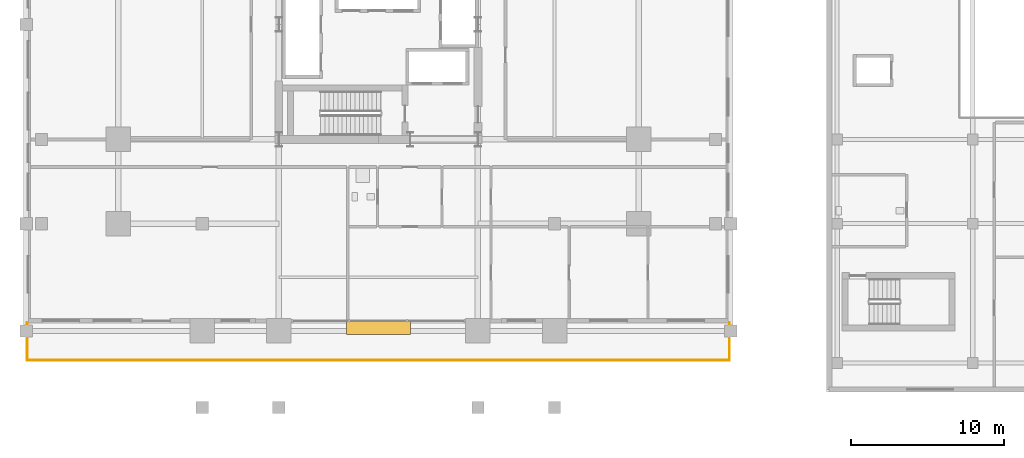
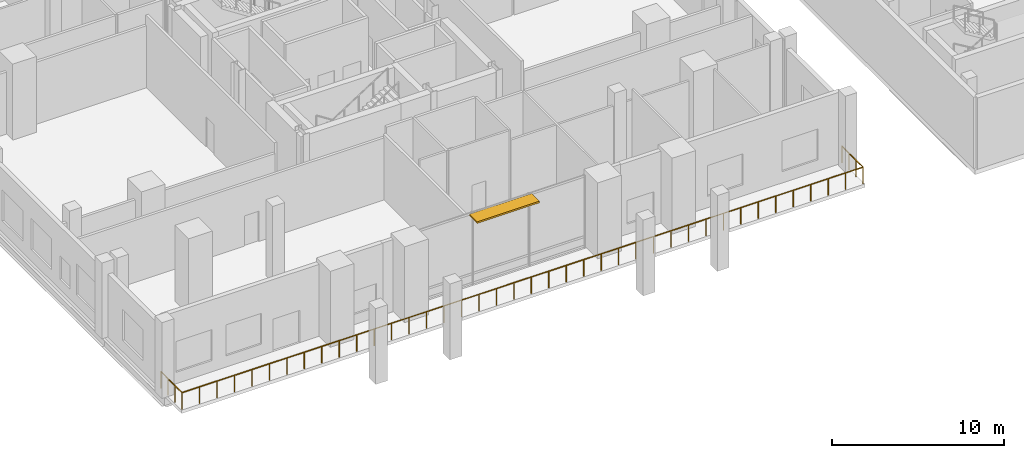
# One storey, part 17 of 22: 1 railing, 1 shading device.
"""IFC4 building model written with IfcOpenShell, lengths in metres."""

from ifc_helpers import new_model, si_unit, direction, frame, origin, origin_2d, place, context, subcontext, project, spatial, rectangle, circle, extrude, material, layer, layer_set, type_object, element, save


model = new_model("IFC4")

# Units and contexts
model_context = context("Model", 3, precision=1e-05, world=origin(), true_north=direction((0.0, 1.0)))
body_context = subcontext(model_context, "Body", "Model", "MODEL_VIEW")
ifc_project = project(units=[si_unit("LENGTHUNIT", "METRE"), si_unit("AREAUNIT", "SQUARE_METRE"), si_unit("VOLUMEUNIT", "CUBIC_METRE"), si_unit("PLANEANGLEUNIT", "RADIAN"), si_unit("MASSUNIT", "GRAM", prefix="KILO")], contexts=[model_context])

# Site, building, storey
site_placement = place(None, origin())
site = spatial("IfcSite", under=ifc_project, at=site_placement, CompositionType="ELEMENT")
building_placement = place(site_placement, origin())
building = spatial("IfcBuilding", under=site, at=building_placement, Name="Barlavira Tower and Art Museum", CompositionType="ELEMENT")
storey_placement = place(building_placement, frame((0.0, 0.0, 16.800048828125)))
storey = spatial("IfcBuildingStorey", under=building, at=storey_placement, Name="L03", CompositionType="ELEMENT", Elevation=16.800048828125)

# Shading device
ifc_material_1 = material(Name="Pale anodised aluminium", Category="aluminium")
ifc_layer = layer(ifc_material_1, 0.1201171875, Name="Pale anodised aluminium")
ifc_layer_set = layer_set([ifc_layer], Name="Pale anodised aluminium")
shading_device_type = type_object("IfcShadingDeviceType", Name="Podium Cascade Horizontal Sun-Visor Jalousie 900", PredefinedType="JALOUSIE", material=ifc_layer_set)
shading_device_placement = place(storey_placement, frame((0.0, -19.800048828125, 4.909912109375), z_axis=(0.0, 0.0, 1.0), x_axis=(1.0, 0.0, 0.0)))
element("IfcShadingDevice", 1, at=shading_device_placement, inside=storey, type_object=shading_device_type, Name="L03 South Cascade Sun-Visor Jalousie", PredefinedType="JALOUSIE", context=body_context, shape_type="SweptSolid", body=[
    extrude(rectangle(XDim=4.199951171875, YDim=0.89990234375, at=origin_2d()), origin(), (0.0, 0.0, 1.0), 0.1201171875),
])

# Railing
ifc_material_2 = material(Name="Laminated safety glass and stainless steel", Category="steel")
railing_type = type_object("IfcRailingType", Name="Terrace and Wind-Floor Laminated Glass Balustrade 1200", PredefinedType="BALUSTRADE", material=ifc_material_2)
railing_placement = place(storey_placement, frame((-22.919921875, -19.449951171875, 0.0)))
element("IfcRailing", 2, at=railing_placement, inside=storey, type_object=railing_type, Name="L03 South Cascade Terrace Balustrade", PredefinedType="BALUSTRADE", context=body_context, shape_type="SweptSolid", body=[
    extrude(circle(Radius=0.02392578125, at=origin_2d()), frame((0.0, 0.0, 1.17578125), z_axis=(0.0, -1.0, 0.0), x_axis=(1.0, 0.0, 0.0)), (0.0, 0.0, 1.0), 2.469970703125),
    extrude(circle(Radius=0.02392578125, at=origin_2d()), frame((0.0, -2.469970703125, 1.17578125), z_axis=(1.0, 0.0, 0.0), x_axis=(0.0, 1.0, 0.0)), (0.0, 0.0, 1.0), 45.83984375),
    extrude(circle(Radius=0.02392578125, at=origin_2d()), frame((45.83984375, -2.469970703125, 1.17578125), z_axis=(0.0, 1.0, 0.0), x_axis=(-1.0, 0.0, 0.0)), (0.0, 0.0, 1.0), 2.469970703125),
    extrude(circle(Radius=0.02099609375, at=origin_2d()), origin(), (0.0, 0.0, 1.0), 1.15185546875),
    extrude(circle(Radius=0.02099609375, at=origin_2d()), frame((0.0, -0.8232421875, 0.0)), (0.0, 0.0, 1.0), 1.15185546875),
    extrude(circle(Radius=0.02099609375, at=origin_2d()), frame((0.0, -1.646728515625, 0.0)), (0.0, 0.0, 1.0), 1.15185546875),
    extrude(circle(Radius=0.02099609375, at=origin_2d()), frame((0.0, -2.469970703125, 0.0)), (0.0, 0.0, 1.0), 1.15185546875),
    extrude(circle(Radius=0.02099609375, at=origin_2d()), frame((1.17529296875, -2.469970703125, 0.0)), (0.0, 0.0, 1.0), 1.15185546875),
    extrude(circle(Radius=0.02099609375, at=origin_2d()), frame((2.350830078125, -2.469970703125, 0.0)), (0.0, 0.0, 1.0), 1.15185546875),
    extrude(circle(Radius=0.02099609375, at=origin_2d()), frame((3.526123046875, -2.469970703125, 0.0)), (0.0, 0.0, 1.0), 1.15185546875),
    extrude(circle(Radius=0.02099609375, at=origin_2d()), frame((4.701416015625, -2.469970703125, 0.0)), (0.0, 0.0, 1.0), 1.15185546875),
    extrude(circle(Radius=0.02099609375, at=origin_2d()), frame((5.876953125, -2.469970703125, 0.0)), (0.0, 0.0, 1.0), 1.15185546875),
    extrude(circle(Radius=0.02099609375, at=origin_2d()), frame((7.05224609375, -2.469970703125, 0.0)), (0.0, 0.0, 1.0), 1.15185546875),
    extrude(circle(Radius=0.02099609375, at=origin_2d()), frame((8.227783203125, -2.469970703125, 0.0)), (0.0, 0.0, 1.0), 1.15185546875),
    extrude(circle(Radius=0.02099609375, at=origin_2d()), frame((9.403076171875, -2.469970703125, 0.0)), (0.0, 0.0, 1.0), 1.15185546875),
    extrude(circle(Radius=0.02099609375, at=origin_2d()), frame((10.578369140625, -2.469970703125, 0.0)), (0.0, 0.0, 1.0), 1.15185546875),
    extrude(circle(Radius=0.02099609375, at=origin_2d()), frame((11.75390625, -2.469970703125, 0.0)), (0.0, 0.0, 1.0), 1.15185546875),
    extrude(circle(Radius=0.02099609375, at=origin_2d()), frame((12.92919921875, -2.469970703125, 0.0)), (0.0, 0.0, 1.0), 1.15185546875),
    extrude(circle(Radius=0.02099609375, at=origin_2d()), frame((14.1044921875, -2.469970703125, 0.0)), (0.0, 0.0, 1.0), 1.15185546875),
    extrude(circle(Radius=0.02099609375, at=origin_2d()), frame((15.280029296875, -2.469970703125, 0.0)), (0.0, 0.0, 1.0), 1.15185546875),
    extrude(circle(Radius=0.02099609375, at=origin_2d()), frame((16.455322265625, -2.469970703125, 0.0)), (0.0, 0.0, 1.0), 1.15185546875),
    extrude(circle(Radius=0.02099609375, at=origin_2d()), frame((17.630615234375, -2.469970703125, 0.0)), (0.0, 0.0, 1.0), 1.15185546875),
    extrude(circle(Radius=0.02099609375, at=origin_2d()), frame((18.80615234375, -2.469970703125, 0.0)), (0.0, 0.0, 1.0), 1.15185546875),
    extrude(circle(Radius=0.02099609375, at=origin_2d()), frame((19.9814453125, -2.469970703125, 0.0)), (0.0, 0.0, 1.0), 1.15185546875),
    extrude(circle(Radius=0.02099609375, at=origin_2d()), frame((21.15673828125, -2.469970703125, 0.0)), (0.0, 0.0, 1.0), 1.15185546875),
    extrude(circle(Radius=0.02099609375, at=origin_2d()), frame((22.332275390625, -2.469970703125, 0.0)), (0.0, 0.0, 1.0), 1.15185546875),
    extrude(circle(Radius=0.02099609375, at=origin_2d()), frame((23.507568359375, -2.469970703125, 0.0)), (0.0, 0.0, 1.0), 1.15185546875),
    extrude(circle(Radius=0.02099609375, at=origin_2d()), frame((24.68310546875, -2.469970703125, 0.0)), (0.0, 0.0, 1.0), 1.15185546875),
    extrude(circle(Radius=0.02099609375, at=origin_2d()), frame((25.8583984375, -2.469970703125, 0.0)), (0.0, 0.0, 1.0), 1.15185546875),
    extrude(circle(Radius=0.02099609375, at=origin_2d()), frame((27.03369140625, -2.469970703125, 0.0)), (0.0, 0.0, 1.0), 1.15185546875),
    extrude(circle(Radius=0.02099609375, at=origin_2d()), frame((28.209228515625, -2.469970703125, 0.0)), (0.0, 0.0, 1.0), 1.15185546875),
    extrude(circle(Radius=0.02099609375, at=origin_2d()), frame((29.384521484375, -2.469970703125, 0.0)), (0.0, 0.0, 1.0), 1.15185546875),
    extrude(circle(Radius=0.02099609375, at=origin_2d()), frame((30.559814453125, -2.469970703125, 0.0)), (0.0, 0.0, 1.0), 1.15185546875),
    extrude(circle(Radius=0.02099609375, at=origin_2d()), frame((31.7353515625, -2.469970703125, 0.0)), (0.0, 0.0, 1.0), 1.15185546875),
    extrude(circle(Radius=0.02099609375, at=origin_2d()), frame((32.91064453125, -2.469970703125, 0.0)), (0.0, 0.0, 1.0), 1.15185546875),
    extrude(circle(Radius=0.02099609375, at=origin_2d()), frame((34.0859375, -2.469970703125, 0.0)), (0.0, 0.0, 1.0), 1.15185546875),
    extrude(circle(Radius=0.02099609375, at=origin_2d()), frame((35.261474609375, -2.469970703125, 0.0)), (0.0, 0.0, 1.0), 1.15185546875),
    extrude(circle(Radius=0.02099609375, at=origin_2d()), frame((36.436767578125, -2.469970703125, 0.0)), (0.0, 0.0, 1.0), 1.15185546875),
    extrude(circle(Radius=0.02099609375, at=origin_2d()), frame((37.612060546875, -2.469970703125, 0.0)), (0.0, 0.0, 1.0), 1.15185546875),
    extrude(circle(Radius=0.02099609375, at=origin_2d()), frame((38.78759765625, -2.469970703125, 0.0)), (0.0, 0.0, 1.0), 1.15185546875),
    extrude(circle(Radius=0.02099609375, at=origin_2d()), frame((39.962890625, -2.469970703125, 0.0)), (0.0, 0.0, 1.0), 1.15185546875),
    extrude(circle(Radius=0.02099609375, at=origin_2d()), frame((41.138427734375, -2.469970703125, 0.0)), (0.0, 0.0, 1.0), 1.15185546875),
    extrude(circle(Radius=0.02099609375, at=origin_2d()), frame((42.313720703125, -2.469970703125, 0.0)), (0.0, 0.0, 1.0), 1.15185546875),
    extrude(circle(Radius=0.02099609375, at=origin_2d()), frame((43.489013671875, -2.469970703125, 0.0)), (0.0, 0.0, 1.0), 1.15185546875),
    extrude(circle(Radius=0.02099609375, at=origin_2d()), frame((44.66455078125, -2.469970703125, 0.0)), (0.0, 0.0, 1.0), 1.15185546875),
    extrude(circle(Radius=0.02099609375, at=origin_2d()), frame((45.83984375, -2.469970703125, 0.0)), (0.0, 0.0, 1.0), 1.15185546875),
    extrude(circle(Radius=0.02099609375, at=origin_2d()), frame((45.83984375, -1.646728515625, 0.0)), (0.0, 0.0, 1.0), 1.15185546875),
    extrude(circle(Radius=0.02099609375, at=origin_2d()), frame((45.83984375, -0.8232421875, 0.0)), (0.0, 0.0, 1.0), 1.15185546875),
    extrude(circle(Radius=0.02099609375, at=origin_2d()), frame((45.83984375, 0.0, 0.0)), (0.0, 0.0, 1.0), 1.15185546875),
])

save(model, "model.ifc")
